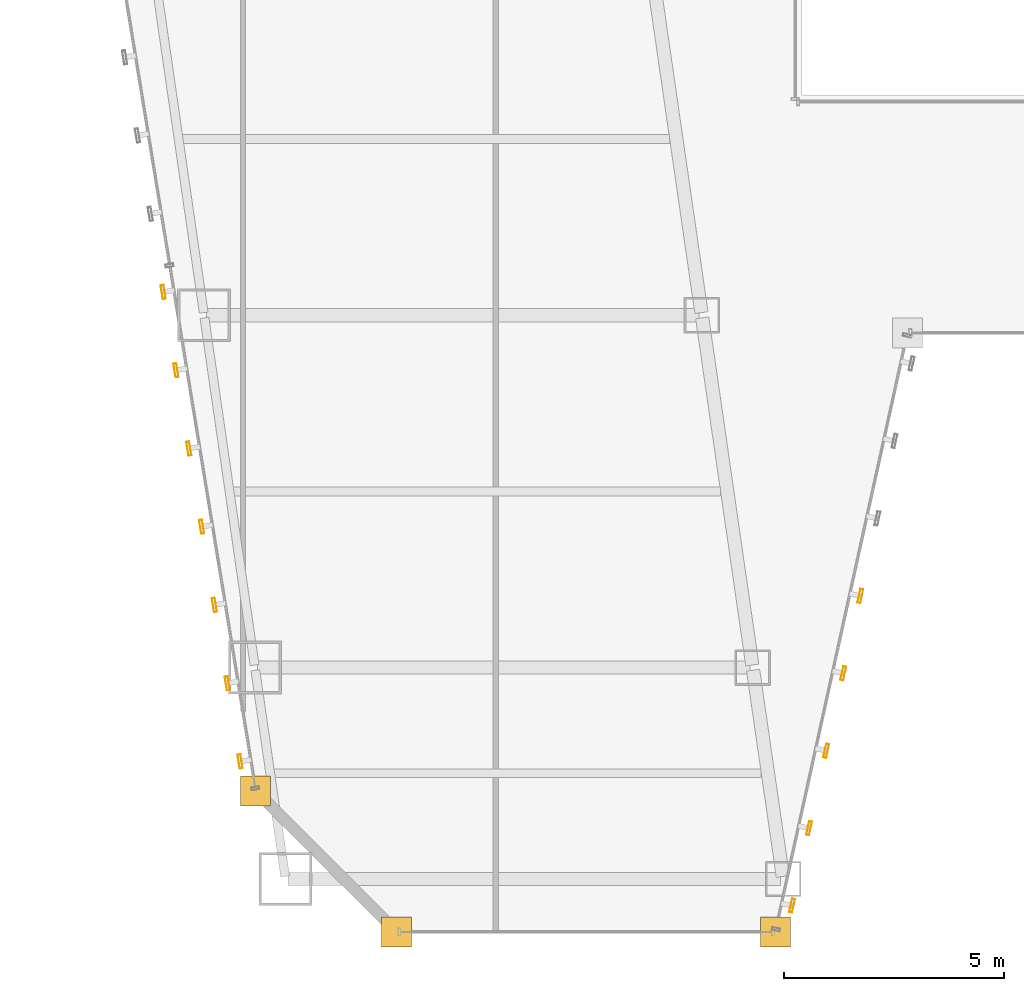
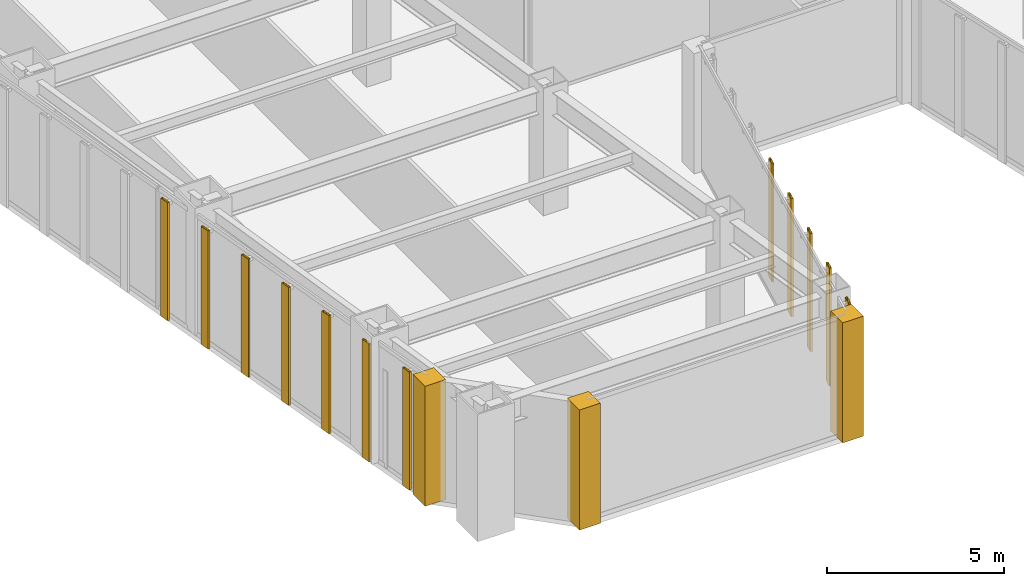
# One storey, part 41 of 47: 12 shading devices, 3 coverings.
"""IFC4 building model written with IfcOpenShell, lengths in metres."""

import ifcopenshell
import ifcopenshell.guid

model = None  # the IFC model being written
_history = None  # IfcOwnerHistory: only IFC2X3 demands one
_inside = {}  # id of a spatial element -> (the spatial element, [elements in it])
_under = {}  # id of a project, library or spatial element -> (it, [spatial elements below it])
_declared = {}  # id of a project -> (the project, [libraries it declares])
_typed = {}  # id of a type object -> (the type object, [elements of that type])
_made_of = {}  # id of a material, layer set ... -> (it, [elements and type objects made of it])


def new_model(schema):
    """Start an empty IFC model of exactly this schema.

    Asked for "IFC4X3", IfcOpenShell would pick the latest addendum, in which some entities
    have other attributes; the version numbers below select the first issue.
    IFC2X3 requires an IfcOwnerHistory on every rooted entity: one is made here for all.
    """
    global model, _history
    if schema == "IFC4X3":
        model = ifcopenshell.file(schema_version=(4, 3, 0, 0))
    else:
        model = ifcopenshell.file(schema=schema)
    _inside.clear()
    _under.clear()
    _declared.clear()
    _typed.clear()
    _made_of.clear()
    _history = None
    if model.schema == "IFC2X3":
        org = make("IfcOrganization", Name="unknown")
        user = make(
            "IfcPersonAndOrganization",
            ThePerson=make("IfcPerson", FamilyName="unknown"),
            TheOrganization=org,
        )
        app = make(
            "IfcApplication",
            ApplicationDeveloper=org,
            Version="unknown",
            ApplicationFullName="unknown",
            ApplicationIdentifier="unknown",
        )
        _history = make(
            "IfcOwnerHistory",
            OwningUser=user,
            OwningApplication=app,
            ChangeAction="ADDED",
            CreationDate=0,
        )
    return model


def make(cls, **values):
    """One entity of the class cls with the attributes given. An attribute that is None is left unset."""
    return model.create_entity(
        cls, **{name: value for name, value in values.items() if value is not None}
    )


def rooted(cls, **values):
    """An entity with a GlobalId (a new one), such as an element, a storey or a relation."""
    return make(cls, GlobalId=ifcopenshell.guid.new(), OwnerHistory=_history, **values)


def si_unit(unit_type, name, prefix=None):
    """IfcSIUnit, for example si_unit("LENGTHUNIT", "METRE", prefix="MILLI")."""
    return make("IfcSIUnit", UnitType=unit_type, Prefix=prefix, Name=name)


def assignment(units):
    """IfcUnitAssignment: the units of a project."""
    return None if units is None else make("IfcUnitAssignment", Units=units)


def point(xyz):
    """IfcCartesianPoint."""
    return None if xyz is None else make("IfcCartesianPoint", Coordinates=xyz)


def direction(xyz):
    """IfcDirection."""
    return None if xyz is None else make("IfcDirection", DirectionRatios=xyz)


def frame(location, z_axis=None, x_axis=None):
    """IfcAxis2Placement3D, a coordinate frame: its origin and axes. An axis left out is left unset."""
    return make(
        "IfcAxis2Placement3D",
        Location=point(location),
        Axis=direction(z_axis),
        RefDirection=direction(x_axis),
    )


def frame_2d(location, x_axis=None):
    """IfcAxis2Placement2D, a coordinate frame in the plane: its origin and x axis."""
    return make(
        "IfcAxis2Placement2D", Location=point(location), RefDirection=direction(x_axis)
    )


def origin():
    """The frame at (0, 0, 0) with its axes left unset."""
    return frame((0.0, 0.0, 0.0))


def origin_2d():
    """The frame at (0, 0) in the plane with its x axis left unset."""
    return frame_2d((0.0, 0.0))


def place(relative_to, where):
    """IfcLocalPlacement: puts the frame where relative to a parent placement (None: the world)."""
    return make(
        "IfcLocalPlacement", PlacementRelTo=relative_to, RelativePlacement=where
    )


def context(
    kind, dimensions, precision=None, world=None, true_north=None, identifier=None
):
    """IfcGeometricRepresentationContext, for example the 3D "Model" context."""
    return make(
        "IfcGeometricRepresentationContext",
        ContextIdentifier=identifier,
        ContextType=kind,
        CoordinateSpaceDimension=dimensions,
        Precision=precision,
        WorldCoordinateSystem=world,
        TrueNorth=true_north,
    )


def subcontext(parent, identifier, kind, view, scale=None):
    """IfcGeometricRepresentationSubContext, for example "Body" below "Model"."""
    return make(
        "IfcGeometricRepresentationSubContext",
        ContextIdentifier=identifier,
        ContextType=kind,
        ParentContext=parent,
        TargetScale=scale,
        TargetView=view,
    )


def project(units=None, contexts=None):
    """IfcProject with its units and contexts."""
    return rooted(
        "IfcProject",
        Name="project",
        RepresentationContexts=contexts,
        UnitsInContext=assignment(units),
    )


def spatial(cls, under=None, at=None, **own):
    """A site, building, storey or space (cls), placed at a placement, below another one or the project."""
    s = rooted(cls, ObjectPlacement=at, **own)
    if under is not None:
        _under.setdefault(under.id(), (under, []))[1].append(s)
    return s


def polyline(points):
    """IfcPolyline through the points."""
    return make("IfcPolyline", Points=[point(p) for p in points])


def profile(cls, at=None, kind="AREA", **sizes):
    """A parametric profile (cls). Its sizes go by their IFC names, for example OverallWidth=200.0."""
    return make(cls, ProfileType=kind, Position=at, **sizes)


def hollow_rectangle(**sizes):
    """IfcRectangleHollowProfileDef."""
    return profile("IfcRectangleHollowProfileDef", **sizes)


def outline(outer, holes=None, kind="AREA"):
    """IfcArbitraryClosedProfileDef: a profile drawn as a closed curve; with holes, ...WithVoids."""
    if holes is None:
        return make("IfcArbitraryClosedProfileDef", ProfileType=kind, OuterCurve=outer)
    return make(
        "IfcArbitraryProfileDefWithVoids",
        ProfileType=kind,
        OuterCurve=outer,
        InnerCurves=holes,
    )


def extrude(swept, where, along, depth):
    """IfcExtrudedAreaSolid: the profile swept, set in the frame where, extruded along a direction by depth."""
    return make(
        "IfcExtrudedAreaSolid",
        SweptArea=swept,
        Position=where,
        ExtrudedDirection=direction(along),
        Depth=depth,
    )


def shape(context_of_items, identifier, shape_type, items):
    """IfcShapeRepresentation: the items that make up one representation, for example the "Body"."""
    return make(
        "IfcShapeRepresentation",
        ContextOfItems=context_of_items,
        RepresentationIdentifier=identifier,
        RepresentationType=shape_type,
        Items=items,
    )


def material(Name=None, Category=None):
    """IfcMaterial."""
    return make("IfcMaterial", Name=Name, Category=Category)


def layer(
    of_material, thickness, ventilated=None, Name=None, Category=None, Priority=None
):
    """IfcMaterialLayer: one layer of a wall or slab, of a material (None: an air gap)."""
    return make(
        "IfcMaterialLayer",
        Material=of_material,
        LayerThickness=thickness,
        IsVentilated=ventilated,
        Name=Name,
        Category=Category,
        Priority=Priority,
    )


def layer_set(layers, Name=None):
    """IfcMaterialLayerSet."""
    return make("IfcMaterialLayerSet", MaterialLayers=layers, LayerSetName=Name)


def material_profile(
    of_material, cross_section, Name=None, Category=None, Priority=None
):
    """IfcMaterialProfile: a cross section and its material."""
    return make(
        "IfcMaterialProfile",
        Name=Name,
        Material=of_material,
        Profile=cross_section,
        Priority=Priority,
        Category=Category,
    )


def profile_set(profiles, Name=None, composite=None):
    """IfcMaterialProfileSet."""
    return make(
        "IfcMaterialProfileSet",
        Name=Name,
        MaterialProfiles=profiles,
        CompositeProfile=composite,
    )


def made_of(thing, what):
    """Note that an element or type object is made of a material, layer set ...; save() writes the relation."""
    if what is not None:
        _made_of.setdefault(what.id(), (what, []))[1].append(thing)
    return thing


def type_object(cls, material=None, **own):
    """A type object (cls), such as IfcWallType, which elements share."""
    return made_of(rooted(cls, **own), material)


def element(
    cls,
    number,
    at=None,
    inside=None,
    cuts=None,
    type_object=None,
    material=None,
    context=None,
    identifier="Body",
    shape_type=None,
    held_by="IfcProductDefinitionShape",
    body=None,
    shapes=None,
    **own,
):
    """One element of the class cls, such as IfcWall. Its Tag is "e" and its number.

    at: its placement. inside: the storey or other place that contains it. cuts: it is an
    opening in that element (IfcRelVoidsElement). A single representation is given by context,
    identifier, shape_type and body (its items); several are given by shapes. held_by: the class
    of the entity that holds the representations. save() writes the other relations.
    """
    e = rooted(cls, Tag="e%d" % number, ObjectPlacement=at, **own)
    if body is not None:
        shapes = [shape(context, identifier, shape_type, body)]
    if shapes is not None:
        e.Representation = make(held_by, Representations=shapes)
    if inside is not None:
        _inside.setdefault(inside.id(), (inside, []))[1].append(e)
    if cuts is not None:
        rooted(
            "IfcRelVoidsElement", RelatingBuildingElement=cuts, RelatedOpeningElement=e
        )
    if type_object is not None:
        _typed.setdefault(type_object.id(), (type_object, []))[1].append(e)
    return made_of(e, material)


def aggregate(whole, parts):
    """IfcRelAggregates: a whole, such as a stair, and the parts it consists of."""
    return rooted("IfcRelAggregates", RelatingObject=whole, RelatedObjects=parts)


def save(model, path):
    """Write the relations noted so far, then the file.

    IfcRelAggregates (storeys below a building ...), IfcRelContainedInSpatialStructure (elements
    in a storey), IfcRelDefinesByType, IfcRelAssociatesMaterial and IfcRelDeclares: one each for
    every whole, place, type object, material and project.
    """
    for whole, parts in _under.values():
        aggregate(whole, parts)
    for where, things in _inside.values():
        rooted(
            "IfcRelContainedInSpatialStructure",
            RelatedElements=things,
            RelatingStructure=where,
        )
    for kind, things in _typed.values():
        rooted("IfcRelDefinesByType", RelatedObjects=things, RelatingType=kind)
    for what, things in _made_of.values():
        rooted("IfcRelAssociatesMaterial", RelatedObjects=things, RelatingMaterial=what)
    for by, libraries in _declared.values():
        rooted("IfcRelDeclares", RelatingContext=by, RelatedDefinitions=libraries)
    model.write(path)


model = new_model("IFC4")

# Units and contexts
model_context = context("Model", 3, precision=1e-05, world=origin(), true_north=direction((0.0, 1.0)))
body_context = subcontext(model_context, "Body", "Model", "MODEL_VIEW")
ifc_project = project(units=[si_unit("LENGTHUNIT", "METRE"), si_unit("AREAUNIT", "SQUARE_METRE"), si_unit("VOLUMEUNIT", "CUBIC_METRE"), si_unit("PLANEANGLEUNIT", "RADIAN"), si_unit("MASSUNIT", "GRAM", prefix="KILO")], contexts=[model_context])

# Site, building, storey
site_placement = place(None, origin())
site = spatial("IfcSite", under=ifc_project, at=site_placement, CompositionType="ELEMENT")
building_placement = place(site_placement, origin())
building = spatial("IfcBuilding", under=site, at=building_placement, Name="Saevonmaru Cultural Tower", CompositionType="ELEMENT")
storey_placement = place(building_placement, frame((0.0, 0.0, 92.800048828125)))
storey = spatial("IfcBuildingStorey", under=building, at=storey_placement, Name="L19", CompositionType="ELEMENT", Elevation=92.800048828125)

# Coverings
ifc_material = material(Name="Satin Bronze Anodised Aluminium", Category="aluminium")
ifc_layer = layer(ifc_material, 0.679931640625, Name="Satin Bronze Anodised Aluminium")
ifc_layer_set = layer_set([ifc_layer], Name="Satin Bronze Anodised Aluminium")
covering_type = type_object("IfcCoveringType", Name="CV-CORNER-CLAD", PredefinedType="CLADDING", material=ifc_layer_set)
covering_1_placement = place(storey_placement, origin())
element("IfcCovering", 1, at=covering_1_placement, inside=storey, type_object=covering_type, Name="L19 Tower Bronze Corner Cladding Pier 1", PredefinedType="CLADDING", context=body_context, shape_type="SweptSolid", body=[
    extrude(outline(polyline([(11.4599609375, 4.860107421875), (12.139892578125, 4.860107421875), (12.139892578125, 5.5400390625), (11.4599609375, 5.5400390625), (11.4599609375, 4.860107421875)])), origin(), (0.0, 0.0, 1.0), 4.14990234375),
])
covering_2_placement = place(storey_placement, origin())
element("IfcCovering", 2, at=covering_2_placement, inside=storey, type_object=covering_type, Name="L19 Tower Bronze Corner Cladding Pier 2", PredefinedType="CLADDING", context=body_context, shape_type="SweptSolid", body=[
    extrude(outline(polyline([(14.659912109375, 1.659912109375), (15.340087890625, 1.659912109375), (15.340087890625, 2.340087890625), (14.659912109375, 2.340087890625), (14.659912109375, 1.659912109375)])), origin(), (0.0, 0.0, 1.0), 4.14990234375),
])
covering_3_placement = place(storey_placement, origin())
element("IfcCovering", 3, at=covering_3_placement, inside=storey, type_object=covering_type, Name="L19 Tower Bronze Corner Cladding Pier 3", PredefinedType="CLADDING", context=body_context, shape_type="SweptSolid", body=[
    extrude(outline(polyline([(23.260009765625, 1.659912109375), (23.93994140625, 1.659912109375), (23.93994140625, 2.340087890625), (23.260009765625, 2.340087890625), (23.260009765625, 1.659912109375)])), origin(), (0.0, 0.0, 1.0), 4.14990234375),
])

# Shading devices
ifc_material_profile = material_profile(ifc_material, hollow_rectangle(XDim=0.070068359375, YDim=0.320068359375, WallThickness=0.0048828125, at=origin_2d()), Name="FIN-320x70")
ifc_profile_set = profile_set([ifc_material_profile], Name="Satin Bronze Anodised Aluminium")
shading_device_type = type_object("IfcShadingDeviceType", Name="SHD-FIN-320", PredefinedType="JALOUSIE", material=ifc_profile_set)
for number, where, z_axis, x_axis, name in (
    (4, (23.977294921875, 2.59619140625, 0.050048828125), (0.0, 0.0, 1.0), (0.976522126798, -0.215417120661, 0.0), "L19 Art Deco Sawtooth Bronze Fin E3-01"),
    (5, (24.364990234375, 4.35400390625, 0.050048828125), (0.0, 0.0, 1.0), (0.976522126798, -0.215417120661, 0.0), "L19 Art Deco Sawtooth Bronze Fin E3-02"),
    (6, (24.752685546875, 6.11181640625, 0.050048828125), (0.0, 0.0, 1.0), (0.976522126798, -0.215417120661, 0.0), "L19 Art Deco Sawtooth Bronze Fin E3-03"),
    (7, (25.140380859375, 7.869384765625, 0.050048828125), (0.0, 0.0, 1.0), (0.976522126798, -0.215417120661, 0.0), "L19 Art Deco Sawtooth Bronze Fin E3-04"),
    (8, (25.5283203125, 9.627197265625, 0.050048828125), (0.0, 0.0, 1.0), (0.976522126798, -0.215417120661, 0.0), "L19 Art Deco Sawtooth Bronze Fin E3-05"),
    (9, (9.70068359375, 16.527099609375, 0.050048828125), (0.0, 0.0, 1.0), (-0.986827496189, -0.161776057456, 0.0), "L19 Art Deco Sawtooth Bronze Fin E12-21"),
    (10, (9.99169921875, 14.750732421875, 0.050048828125), (0.0, 0.0, 1.0), (-0.986827496189, -0.161776057456, 0.0), "L19 Art Deco Sawtooth Bronze Fin E12-22"),
    (11, (10.28271484375, 12.974365234375, 0.050048828125), (0.0, 0.0, 1.0), (-0.986827496189, -0.161776057456, 0.0), "L19 Art Deco Sawtooth Bronze Fin E12-23"),
    (12, (10.573974609375, 11.197998046875, 0.050048828125), (0.0, 0.0, 1.0), (-0.986827496189, -0.161776057456, 0.0), "L19 Art Deco Sawtooth Bronze Fin E12-24"),
    (13, (10.864990234375, 9.421875, 0.050048828125), (0.0, 0.0, 1.0), (-0.986827496189, -0.161776057456, 0.0), "L19 Art Deco Sawtooth Bronze Fin E12-25"),
    (14, (11.156005859375, 7.6455078125, 0.050048828125), (0.0, 0.0, 1.0), (-0.986827496189, -0.161776057456, 0.0), "L19 Art Deco Sawtooth Bronze Fin E12-26"),
    (15, (11.447021484375, 5.869140625, 0.050048828125), (0.0, 0.0, 1.0), (-0.986827496189, -0.161776057456, 0.0), "L19 Art Deco Sawtooth Bronze Fin E12-27"),
):
    element("IfcShadingDevice", number, at=place(storey_placement, frame(where, z_axis=z_axis, x_axis=x_axis)), inside=storey, type_object=shading_device_type, Name=name, PredefinedType="JALOUSIE", context=body_context, shape_type="SweptSolid", body=[
        extrude(hollow_rectangle(XDim=0.070068359375, YDim=0.320068359375, WallThickness=0.0048828125, at=origin_2d()), origin(), (0.0, 0.0, 1.0), 4.079833984375),
    ])

save(model, "model.ifc")
